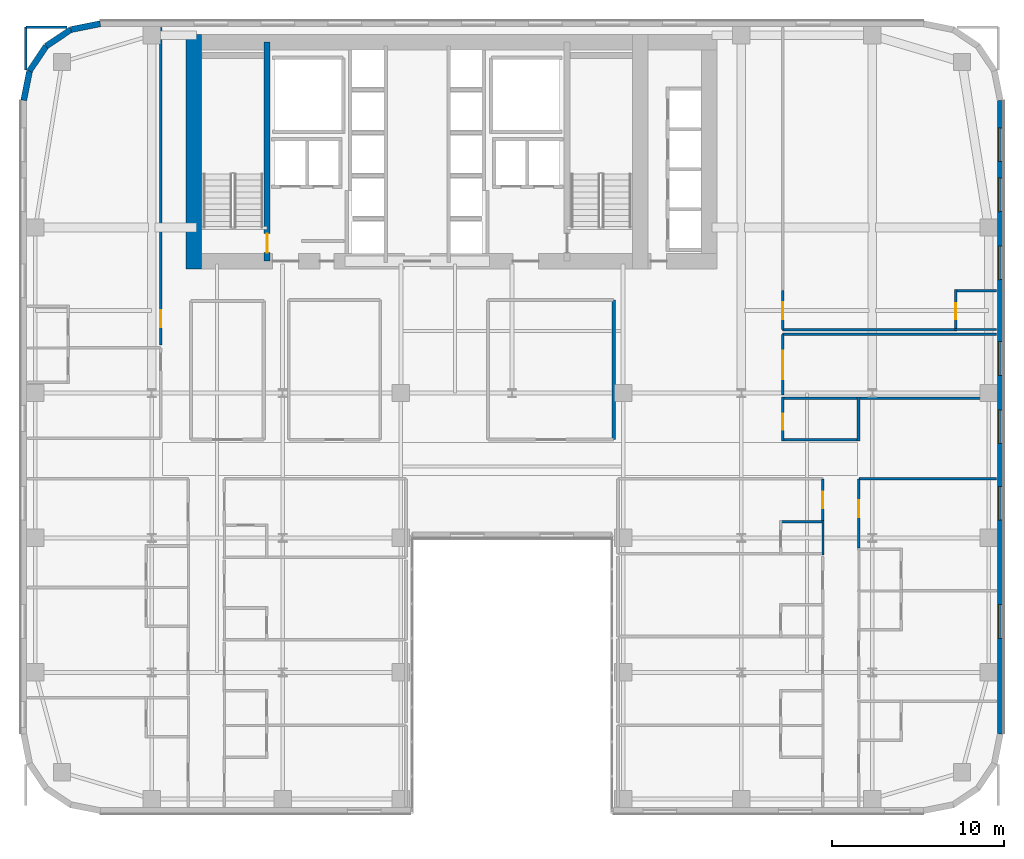
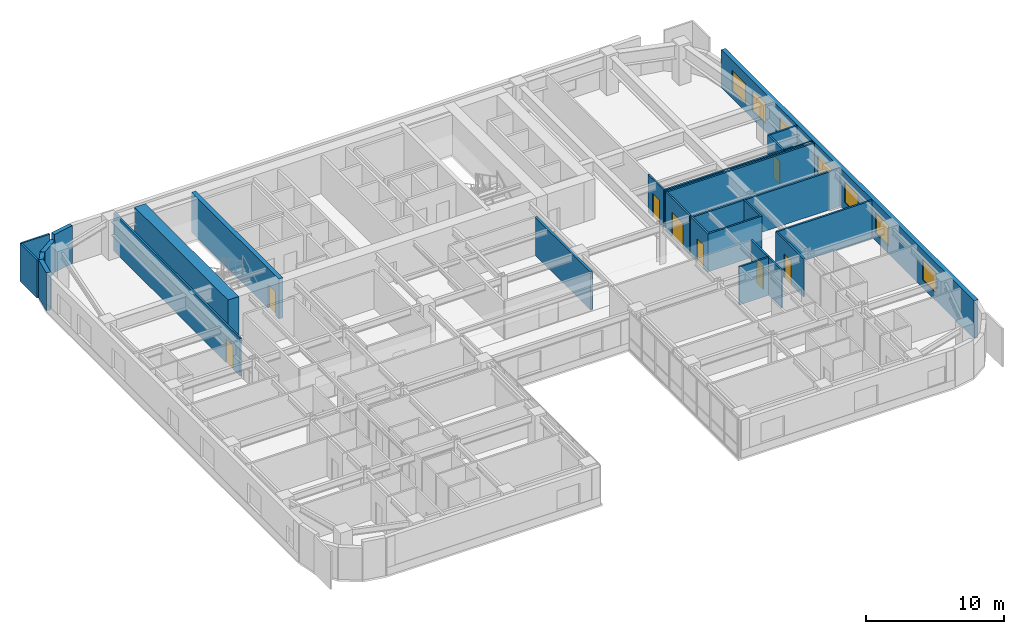
# One storey, part 17 of 25: 27 walls, 8 doors, 7 windows, 15 openings.
"""IFC4 building model written with IfcOpenShell, lengths in metres."""

from ifc_helpers import new_model, si_unit, direction, frame, frame_2d, origin, place, context, subcontext, project, spatial, rectangle, extrude, source, transform, mapped, material, layer, layer_set, type_object, type_shapes, element, fill, save


model = new_model("IFC4")

# Units and contexts
model_context = context("Model", 3, precision=1e-05, world=origin(), true_north=direction((0.0, 1.0)))
body_context = subcontext(model_context, "Body", "Model", "MODEL_VIEW")
ifc_project = project(units=[si_unit("LENGTHUNIT", "METRE"), si_unit("AREAUNIT", "SQUARE_METRE"), si_unit("VOLUMEUNIT", "CUBIC_METRE"), si_unit("PLANEANGLEUNIT", "RADIAN"), si_unit("MASSUNIT", "GRAM", prefix="KILO")], contexts=[model_context])

# Site, building, storey
site_placement = place(None, origin())
site = spatial("IfcSite", under=ifc_project, at=site_placement, CompositionType="ELEMENT")
building_placement = place(site_placement, origin())
building = spatial("IfcBuilding", under=site, at=building_placement, Name="Tolvann Quenvar Hotel", CompositionType="ELEMENT")
storey_placement = place(building_placement, frame((0.0, 0.0, 46.199951171875)))
storey = spatial("IfcBuildingStorey", under=building, at=storey_placement, Name="L10", CompositionType="ELEMENT", Elevation=46.199951171875)

# Wall
ifc_material_1 = material(Name="Concrete S80 (80 MPa)", Category="concrete")
ifc_layer_1 = layer(ifc_material_1, 0.89990234375)
ifc_layer_set_1 = layer_set([ifc_layer_1], Name="Concrete S80 (80 MPa)")
wall_type_1 = type_object("IfcWallType", Name="WALL_CORE_900", PredefinedType="SHEAR", material=ifc_layer_set_1)
wall_1_placement = place(storey_placement, frame((10.050048828125, 31.60009765625, 0.0), z_axis=(0.0, 0.0, 1.0), x_axis=(0.0, 1.0, 0.0)))
element("IfcWall", 1, at=wall_1_placement, inside=storey, type_object=wall_type_1, Name="Rear Core W Shear Wall (L10)", PredefinedType="SHEAR", context=body_context, shape_type="SweptSolid", body=[
    extrude(rectangle(XDim=13.599853515625, YDim=0.89990234375, at=frame_2d((6.7998046875, 0.0))), origin(), (0.0, 0.0, 1.0), 3.550048828125),
])

# Wall, opening, door
ifc_material_2 = material(Name="Concrete S65 (65 MPa)", Category="concrete")
ifc_layer_2 = layer(ifc_material_2, 0.35009765625)
ifc_layer_set_2 = layer_set([ifc_layer_2], Name="Concrete S65 (65 MPa)")
wall_type_2 = type_object("IfcWallType", Name="WALL_CORE_INT_350", PredefinedType="SHEAR", material=ifc_layer_set_2)
wall_2_placement = place(storey_placement, frame((14.300048828125, 32.050048828125, 0.0), z_axis=(0.0, 0.0, 1.0), x_axis=(0.0, 1.0, 0.0)))
wall_2 = element("IfcWall", 2, at=wall_2_placement, inside=storey, type_object=wall_type_2, Name="Core Internal Web Shear Wall WEB-W (L10)", PredefinedType="SHEAR", context=body_context, shape_type="SweptSolid", body=[
    extrude(rectangle(XDim=12.699951171875, YDim=0.35009765625, at=frame_2d((6.35009765625, 0.0))), origin(), (0.0, 0.0, 1.0), 3.550048828125),
])
opening_1_placement = place(wall_2_placement, frame((0.5, 0.0, 0.0)))
opening_1 = element("IfcOpeningElement", 3, at=opening_1_placement, cuts=wall_2, Name="Opening FD-120", PredefinedType="OPENING", context=body_context, shape_type="SweptSolid", body=[
    extrude(rectangle(XDim=1.10009765625, YDim=2.1201171875, at=frame_2d((0.550048828125, 1.06005859375))), frame((0.0, 0.18505859375, 0.0), z_axis=(0.0, -1.0, 0.0), x_axis=(1.0, 0.0, 0.0)), (0.0, 0.0, 1.0), 0.3701171875),
])
ifc_material_3 = material(Name="Pressed galvanised steel fire-rated door set", Category="steel")
door_type_1 = type_object("IfcDoorType", Name="DOOR_FIRE_STAIR_1100", OperationType="NOTDEFINED", PredefinedType="DOOR", material=ifc_material_3)
shared_shape_1 = source(origin(), body_context, "Body", "SweptSolid", [
    extrude(rectangle(XDim=1.10009765625, YDim=2.1201171875, at=frame_2d((0.550048828125, 1.06005859375))), frame((0.0, 0.02490234375, 0.0), z_axis=(0.0, -1.0, 0.0), x_axis=(1.0, 0.0, 0.0)), (0.0, 0.0, 1.0), 0.050048828125),
])
type_shapes(door_type_1, [shared_shape_1])
door_1_placement = place(opening_1_placement, origin())
door_1 = element("IfcDoor", 4, at=door_1_placement, inside=storey, type_object=door_type_1, Name="Exit Stair ST-C1 Fire Door (L10)", OperationType="SINGLE_SWING_RIGHT", OverallHeight=2.1201171875, OverallWidth=1.10009765625, PredefinedType="DOOR", context=body_context, shape_type="MappedRepresentation", body=[
    mapped(shared_shape_1, transform((0.0, 0.0, 0.0), x_axis=(1.0, 0.0, 0.0), y_axis=(0.0, 1.0, 0.0), z_axis=(0.0, 0.0, 1.0), scale=1.0)),
])
fill(opening_1, door_1)

# Wall, openings, windows
ifc_material_4 = material(Name="Kiln-fired red and buff architectural clay brickwork and terracotta masonry", Category="masonry")
ifc_layer_3 = layer(ifc_material_4, 0.35009765625)
ifc_layer_set_3 = layer_set([ifc_layer_3], Name="Kiln-fired red and buff architectural clay brickwork and terracotta masonry")
wall_type_3 = type_object("IfcWallType", Name="WALL_EXT_BRICK_350", PredefinedType="SOLIDWALL", material=ifc_layer_set_3)
wall_3_placement = place(storey_placement, frame((56.824951171875, 4.6171875, 0.0), z_axis=(0.0, 0.0, 1.0), x_axis=(0.0, 1.0, 0.0)))
wall_3 = element("IfcWall", 5, at=wall_3_placement, inside=storey, type_object=wall_type_3, Name="Exterior Chicago Brick Wall L10-E13", PredefinedType="SOLIDWALL", context=body_context, shape_type="SweptSolid", body=[
    extrude(rectangle(XDim=36.765625, YDim=0.35009765625, at=frame_2d((18.3828125, 0.0))), origin(), (0.0, 0.0, 1.0), 3.3701171875),
])
opening_2_placement = place(wall_3_placement, frame((5.552978515625, 0.0, 0.679931640625)))
opening_2 = element("IfcOpeningElement", 6, at=opening_2_placement, cuts=wall_3, Name="Opening W-10", PredefinedType="OPENING", context=body_context, shape_type="SweptSolid", body=[
    extrude(rectangle(XDim=1.949951171875, YDim=1.820068359375, at=frame_2d((0.97509765625, 0.91015625))), frame((0.0, 0.18505859375, 0.0), z_axis=(0.0, -1.0, 0.0), x_axis=(1.0, 0.0, 0.0)), (0.0, 0.0, 1.0), 0.3701171875),
])
opening_3_placement = place(wall_3_placement, frame((12.406005859375, 0.0, 0.679931640625)))
opening_3 = element("IfcOpeningElement", 7, at=opening_3_placement, cuts=wall_3, Name="Opening W-10", PredefinedType="OPENING", context=body_context, shape_type="SweptSolid", body=[
    extrude(rectangle(XDim=1.949951171875, YDim=1.820068359375, at=frame_2d((0.97509765625, 0.91015625))), frame((0.0, 0.18505859375, 0.0), z_axis=(0.0, -1.0, 0.0), x_axis=(1.0, 0.0, 0.0)), (0.0, 0.0, 1.0), 0.3701171875),
])
opening_4_placement = place(wall_3_placement, frame((16.85791015625, 0.0, 0.679931640625)))
opening_4 = element("IfcOpeningElement", 8, at=opening_4_placement, cuts=wall_3, Name="Opening W-10", PredefinedType="OPENING", context=body_context, shape_type="SweptSolid", body=[
    extrude(rectangle(XDim=1.949951171875, YDim=1.820068359375, at=frame_2d((0.97509765625, 0.91015625))), frame((0.0, 0.18505859375, 0.0), z_axis=(0.0, -1.0, 0.0), x_axis=(1.0, 0.0, 0.0)), (0.0, 0.0, 1.0), 0.3701171875),
])
opening_5_placement = place(wall_3_placement, frame((20.81005859375, 0.0, 0.679931640625)))
opening_5 = element("IfcOpeningElement", 9, at=opening_5_placement, cuts=wall_3, Name="Opening W-10", PredefinedType="OPENING", context=body_context, shape_type="SweptSolid", body=[
    extrude(rectangle(XDim=1.949951171875, YDim=1.820068359375, at=frame_2d((0.97509765625, 0.91015625))), frame((0.0, 0.18505859375, 0.0), z_axis=(0.0, -1.0, 0.0), x_axis=(1.0, 0.0, 0.0)), (0.0, 0.0, 1.0), 0.3701171875),
])
opening_6_placement = place(wall_3_placement, frame((26.361083984375, 0.0, 0.679931640625)))
opening_6 = element("IfcOpeningElement", 10, at=opening_6_placement, cuts=wall_3, Name="Opening W-10", PredefinedType="OPENING", context=body_context, shape_type="SweptSolid", body=[
    extrude(rectangle(XDim=1.949951171875, YDim=1.820068359375, at=frame_2d((0.97509765625, 0.91015625))), frame((0.0, 0.18505859375, 0.0), z_axis=(0.0, -1.0, 0.0), x_axis=(1.0, 0.0, 0.0)), (0.0, 0.0, 1.0), 0.3701171875),
])
opening_7_placement = place(wall_3_placement, frame((30.31298828125, 0.0, 0.679931640625)))
opening_7 = element("IfcOpeningElement", 11, at=opening_7_placement, cuts=wall_3, Name="Opening W-10", PredefinedType="OPENING", context=body_context, shape_type="SweptSolid", body=[
    extrude(rectangle(XDim=1.949951171875, YDim=1.820068359375, at=frame_2d((0.97509765625, 0.91015625))), frame((0.0, 0.18505859375, 0.0), z_axis=(0.0, -1.0, 0.0), x_axis=(1.0, 0.0, 0.0)), (0.0, 0.0, 1.0), 0.3701171875),
])
opening_8_placement = place(wall_3_placement, frame((33.215087890625, 0.0, 0.679931640625)))
opening_8 = element("IfcOpeningElement", 12, at=opening_8_placement, cuts=wall_3, Name="Opening W-10", PredefinedType="OPENING", context=body_context, shape_type="SweptSolid", body=[
    extrude(rectangle(XDim=1.949951171875, YDim=1.820068359375, at=frame_2d((0.97509765625, 0.91015625))), frame((0.0, 0.18505859375, 0.0), z_axis=(0.0, -1.0, 0.0), x_axis=(1.0, 0.0, 0.0)), (0.0, 0.0, 1.0), 0.3701171875),
])
ifc_material_5 = material(Name="Thermally broken bronze-anodised aluminium frame with double low-E glazing", Category="aluminium")
window_type = type_object("IfcWindowType", Name="WIN_CLB_1950x1850", PartitioningType="DOUBLE_PANEL_VERTICAL", PredefinedType="WINDOW", material=ifc_material_5)
shared_shape_2 = source(origin(), body_context, "Body", "SweptSolid", [
    extrude(rectangle(XDim=1.949951171875, YDim=1.820068359375, at=frame_2d((0.97509765625, 0.91015625))), frame((0.0, 0.090087890625, 0.0), z_axis=(0.0, -1.0, 0.0), x_axis=(1.0, 0.0, 0.0)), (0.0, 0.0, 1.0), 0.06005859375),
])
type_shapes(window_type, [shared_shape_2])
window_1_placement = place(opening_2_placement, origin())
window_1 = element("IfcWindow", 13, at=window_1_placement, inside=storey, type_object=window_type, Name="Chicago Window W-10 (EW-L10-E13-W01)", OverallHeight=1.820068359375, OverallWidth=1.949951171875, PartitioningType="DOUBLE_PANEL_VERTICAL", PredefinedType="WINDOW", context=body_context, shape_type="MappedRepresentation", body=[
    mapped(shared_shape_2, transform((0.0, 0.0, 0.0), x_axis=(1.0, 0.0, 0.0), y_axis=(0.0, 1.0, 0.0), z_axis=(0.0, 0.0, 1.0), scale=1.0)),
])
fill(opening_2, window_1)
window_2_placement = place(opening_3_placement, origin())
window_2 = element("IfcWindow", 14, at=window_2_placement, inside=storey, type_object=window_type, Name="Chicago Window W-10 (EW-L10-E13-W02)", OverallHeight=1.820068359375, OverallWidth=1.949951171875, PartitioningType="DOUBLE_PANEL_VERTICAL", PredefinedType="WINDOW", context=body_context, shape_type="MappedRepresentation", body=[
    mapped(shared_shape_2, transform((0.0, 0.0, 0.0), x_axis=(1.0, 0.0, 0.0), y_axis=(0.0, 1.0, 0.0), z_axis=(0.0, 0.0, 1.0), scale=1.0)),
])
fill(opening_3, window_2)
window_3_placement = place(opening_4_placement, origin())
window_3 = element("IfcWindow", 15, at=window_3_placement, inside=storey, type_object=window_type, Name="Chicago Window W-10 (EW-L10-E13-W03)", OverallHeight=1.820068359375, OverallWidth=1.949951171875, PartitioningType="DOUBLE_PANEL_VERTICAL", PredefinedType="WINDOW", context=body_context, shape_type="MappedRepresentation", body=[
    mapped(shared_shape_2, transform((0.0, 0.0, 0.0), x_axis=(1.0, 0.0, 0.0), y_axis=(0.0, 1.0, 0.0), z_axis=(0.0, 0.0, 1.0), scale=1.0)),
])
fill(opening_4, window_3)
window_4_placement = place(opening_5_placement, origin())
window_4 = element("IfcWindow", 16, at=window_4_placement, inside=storey, type_object=window_type, Name="Chicago Window W-10 (EW-L10-E13-W04)", OverallHeight=1.820068359375, OverallWidth=1.949951171875, PartitioningType="DOUBLE_PANEL_VERTICAL", PredefinedType="WINDOW", context=body_context, shape_type="MappedRepresentation", body=[
    mapped(shared_shape_2, transform((0.0, 0.0, 0.0), x_axis=(1.0, 0.0, 0.0), y_axis=(0.0, 1.0, 0.0), z_axis=(0.0, 0.0, 1.0), scale=1.0)),
])
fill(opening_5, window_4)
window_5_placement = place(opening_6_placement, origin())
window_5 = element("IfcWindow", 17, at=window_5_placement, inside=storey, type_object=window_type, Name="Chicago Window W-10 (EW-L10-E13-W05)", OverallHeight=1.820068359375, OverallWidth=1.949951171875, PartitioningType="DOUBLE_PANEL_VERTICAL", PredefinedType="WINDOW", context=body_context, shape_type="MappedRepresentation", body=[
    mapped(shared_shape_2, transform((0.0, 0.0, 0.0), x_axis=(1.0, 0.0, 0.0), y_axis=(0.0, 1.0, 0.0), z_axis=(0.0, 0.0, 1.0), scale=1.0)),
])
fill(opening_6, window_5)
window_6_placement = place(opening_7_placement, origin())
window_6 = element("IfcWindow", 18, at=window_6_placement, inside=storey, type_object=window_type, Name="Chicago Window W-10 (EW-L10-E13-W06)", OverallHeight=1.820068359375, OverallWidth=1.949951171875, PartitioningType="DOUBLE_PANEL_VERTICAL", PredefinedType="WINDOW", context=body_context, shape_type="MappedRepresentation", body=[
    mapped(shared_shape_2, transform((0.0, 0.0, 0.0), x_axis=(1.0, 0.0, 0.0), y_axis=(0.0, 1.0, 0.0), z_axis=(0.0, 0.0, 1.0), scale=1.0)),
])
fill(opening_7, window_6)
window_7_placement = place(opening_8_placement, origin())
window_7 = element("IfcWindow", 19, at=window_7_placement, inside=storey, type_object=window_type, Name="Chicago Window W-10 (EW-L10-E13-W07)", OverallHeight=1.820068359375, OverallWidth=1.949951171875, PartitioningType="DOUBLE_PANEL_VERTICAL", PredefinedType="WINDOW", context=body_context, shape_type="MappedRepresentation", body=[
    mapped(shared_shape_2, transform((0.0, 0.0, 0.0), x_axis=(1.0, 0.0, 0.0), y_axis=(0.0, 1.0, 0.0), z_axis=(0.0, 0.0, 1.0), scale=1.0)),
])
fill(opening_8, window_7)

# Walls
wall_4_placement = place(storey_placement, frame((4.6171875, 45.824951171875, 0.0), z_axis=(0.0, 0.0, 1.0), x_axis=(-0.980800971659, -0.195011420161, 0.0)))
element("IfcWall", 20, at=wall_4_placement, inside=storey, type_object=wall_type_3, Name="Exterior Chicago Brick Wall L10-E19", PredefinedType="SOLIDWALL", context=body_context, shape_type="SweptSolid", body=[
    extrude(rectangle(XDim=1.74267578125, YDim=0.35009765625, at=frame_2d((0.871337890625, 0.0))), origin(), (0.0, 0.0, 1.0), 3.3701171875),
])
for number, where, z_axis, x_axis, name in (
    (21, (2.907958984375, 45.485107421875, 0.0), (0.0, 0.0, 1.0), (-0.831483840845, -0.55554893791, 0.0), "Exterior Chicago Brick Wall L10-E20"),
    (22, (1.473388671875, 44.526611328125, 0.0), (0.0, 0.0, 1.0), (-0.55554893791, -0.831483840845, 0.0), "Exterior Chicago Brick Wall L10-E21"),
):
    element("IfcWall", number, at=place(storey_placement, frame(where, z_axis=z_axis, x_axis=x_axis)), inside=storey, type_object=wall_type_3, Name=name, PredefinedType="SOLIDWALL", context=body_context, shape_type="SweptSolid", body=[
        extrude(rectangle(XDim=1.725341796875, YDim=0.35009765625, at=frame_2d((0.86279296875, 0.0))), origin(), (0.0, 0.0, 1.0), 2.83203125),
    ])
wall_5_placement = place(storey_placement, frame((0.514892578125, 43.092041015625, 0.0), z_axis=(0.0, 0.0, 1.0), x_axis=(-0.195011420161, -0.980800971659, 0.0)))
element("IfcWall", 23, at=wall_5_placement, inside=storey, type_object=wall_type_3, Name="Exterior Chicago Brick Wall L10-E22", PredefinedType="SOLIDWALL", context=body_context, shape_type="SweptSolid", body=[
    extrude(rectangle(XDim=1.74267578125, YDim=0.35009765625, at=frame_2d((0.871337890625, 0.0))), origin(), (0.0, 0.0, 1.0), 3.3701171875),
])
ifc_material_6 = material(Name="Acoustic twin-stud fire-rated gypsum plasterboard partition")
ifc_layer_4 = layer(ifc_material_6, 0.179931640625)
ifc_layer_set_4 = layer_set([ifc_layer_4], Name="Acoustic twin-stud fire-rated gypsum plasterboard partition")
wall_type_4 = type_object("IfcWallType", Name="WALL_PART_ACOUSTIC_180", PredefinedType="PARTITIONING", material=ifc_layer_set_4)
wall_6_placement = place(storey_placement, frame((34.39990234375, 21.699951171875, 0.0), z_axis=(0.0, 0.0, 1.0), x_axis=(0.0, 1.0, 0.0)))
element("IfcWall", 24, at=wall_6_placement, inside=storey, type_object=wall_type_4, Name="Interior Partition PT-SPC-L10-MSP-C-E", PredefinedType="PARTITIONING", context=body_context, shape_type="SweptSolid", body=[
    extrude(rectangle(XDim=8.10009765625, YDim=0.179931640625, at=frame_2d((4.050048828125, 0.0))), origin(), (0.0, 0.0, 1.0), 3.3701171875),
])
ifc_material_7 = material(Name="Moisture-resistant acoustic plumbing wall assembly")
ifc_layer_5 = layer(ifc_material_7, 0.1201171875)
ifc_layer_set_5 = layer_set([ifc_layer_5], Name="Moisture-resistant acoustic plumbing wall assembly")
wall_type_5 = type_object("IfcWallType", Name="WALL_PART_BATH_120", PredefinedType="PLUMBINGWALL", material=ifc_layer_set_5)
wall_7_placement = place(storey_placement, frame((46.530029296875, 15.010009765625, 0.0), z_axis=(0.0, 0.0, 1.0), x_axis=(0.0, 1.0, 0.0)))
element("IfcWall", 25, at=wall_7_placement, inside=storey, type_object=wall_type_5, Name="Non-Rated Plumbing Partition PT-SPC-L10-ENS-EI04-E", PredefinedType="PLUMBINGWALL", context=body_context, shape_type="SweptSolid", body=[
    extrude(rectangle(XDim=1.989990234375, YDim=0.1201171875, at=frame_2d((0.9951171875, 0.0))), origin(), (0.0, 0.0, 1.0), 3.3701171875),
])
wall_8_placement = place(storey_placement, frame((54.179931640625, 28.080078125, 0.0), z_axis=(0.0, 0.0, 1.0), x_axis=(1.0, 0.0, 0.0)))
element("IfcWall", 26, at=wall_8_placement, inside=storey, type_object=wall_type_5, Name="Non-Rated Plumbing Partition PT-SPC-L10-ENS-NE01-S", PredefinedType="PLUMBINGWALL", context=body_context, shape_type="SweptSolid", body=[
    extrude(rectangle(XDim=2.4150390625, YDim=0.1201171875, at=frame_2d((1.20751953125, 0.0))), origin(), (0.0, 0.0, 1.0), 3.3701171875),
])
ifc_layer_6 = layer(ifc_material_6, 0.14990234375)
ifc_layer_set_6 = layer_set([ifc_layer_6], Name="Acoustic twin-stud fire-rated gypsum plasterboard partition")
wall_type_6 = type_object("IfcWallType", Name="WALL_PART_SUITE_150", PredefinedType="PARTITIONING", material=ifc_layer_set_6)
wall_9_placement = place(storey_placement, frame((44.010009765625, 16.929931640625, 0.0), z_axis=(0.0, 0.0, 1.0), x_axis=(1.0, 0.0, 0.0)))
element("IfcWall", 27, at=wall_9_placement, inside=storey, type_object=wall_type_6, Name="Interior Partition PT-SPC-L10-ENS-EI04-N", PredefinedType="PARTITIONING", context=body_context, shape_type="SweptSolid", body=[
    extrude(rectangle(XDim=2.590087890625, YDim=0.14990234375, at=frame_2d((1.294921875, 0.0))), origin(), (0.0, 0.0, 1.0), 3.3701171875),
])

# Wall, opening, door
wall_10_placement = place(storey_placement, frame((54.25, 28.010009765625, 0.0), z_axis=(0.0, 0.0, 1.0), x_axis=(0.0, 1.0, 0.0)))
wall_10 = element("IfcWall", 28, at=wall_10_placement, inside=storey, type_object=wall_type_6, Name="Interior Partition PT-SPC-L10-ENS-NE01-ENT", PredefinedType="PARTITIONING", context=body_context, shape_type="SweptSolid", body=[
    extrude(rectangle(XDim=2.389892578125, YDim=0.14990234375, at=frame_2d((1.19482421875, 0.0))), origin(), (0.0, 0.0, 1.0), 3.3701171875),
])
opening_9_placement = place(wall_10_placement, frame((0.6650390625, 0.0, 0.0)))
opening_9 = element("IfcOpeningElement", 29, at=opening_9_placement, cuts=wall_10, Name="Opening WD-01", PredefinedType="OPENING", context=body_context, shape_type="SweptSolid", body=[
    extrude(rectangle(XDim=0.919921875, YDim=2.010009765625, at=frame_2d((0.4599609375, 1.0048828125))), frame((0.0, 0.0849609375, 0.0), z_axis=(0.0, -1.0, 0.0), x_axis=(1.0, 0.0, 0.0)), (0.0, 0.0, 1.0), 0.169921875),
])
ifc_material_8 = material(Name="Solid-core American oak acoustic fire door leaf in steel frame", Category="steel")
door_type_2 = type_object("IfcDoorType", Name="DOOR_WC_920", OperationType="NOTDEFINED", PredefinedType="DOOR", material=ifc_material_8)
shared_shape_3 = source(origin(), body_context, "Body", "SweptSolid", [
    extrude(rectangle(XDim=0.919921875, YDim=2.010009765625, at=frame_2d((0.4599609375, 1.0048828125))), frame((0.0, 0.02490234375, 0.0), z_axis=(0.0, -1.0, 0.0), x_axis=(1.0, 0.0, 0.0)), (0.0, 0.0, 1.0), 0.050048828125),
])
type_shapes(door_type_2, [shared_shape_3])
door_2_placement = place(opening_9_placement, origin())
door_2 = element("IfcDoor", 30, at=door_2_placement, inside=storey, type_object=door_type_2, Name="Interior Door DOOR-SPC-L10-ENS-NE01", OperationType="SINGLE_SWING_RIGHT", OverallHeight=2.010009765625, OverallWidth=0.919921875, PredefinedType="DOOR", context=body_context, shape_type="MappedRepresentation", body=[
    mapped(shared_shape_3, transform((0.0, 0.0, 0.0), x_axis=(1.0, 0.0, 0.0), y_axis=(0.0, 1.0, 0.0), z_axis=(0.0, 0.0, 1.0), scale=1.0)),
])
fill(opening_9, door_2)

# Wall
wall_11_placement = place(storey_placement, frame((54.179931640625, 30.330078125, 0.0), z_axis=(0.0, 0.0, 1.0), x_axis=(1.0, 0.0, 0.0)))
element("IfcWall", 31, at=wall_11_placement, inside=storey, type_object=wall_type_6, Name="Interior Partition PT-SPC-L10-ENS-NE01-N", PredefinedType="PARTITIONING", context=body_context, shape_type="SweptSolid", body=[
    extrude(rectangle(XDim=2.4150390625, YDim=0.14990234375, at=frame_2d((1.20751953125, 0.0))), origin(), (0.0, 0.0, 1.0), 3.3701171875),
])

# Wall, opening, door
wall_12_placement = place(storey_placement, frame((46.530029296875, 17.010009765625, 0.0), z_axis=(0.0, 0.0, 1.0), x_axis=(0.0, 1.0, 0.0)))
wall_12 = element("IfcWall", 32, at=wall_12_placement, inside=storey, type_object=wall_type_6, Name="Interior Partition PT-SPC-L10-RM-EI04-ENT", PredefinedType="PARTITIONING", context=body_context, shape_type="SweptSolid", body=[
    extrude(rectangle(XDim=2.409912109375, YDim=0.14990234375, at=frame_2d((1.205078125, 0.0))), origin(), (0.0, 0.0, 1.0), 3.3701171875),
])
opening_10_placement = place(wall_12_placement, frame((0.695068359375, 0.0, 0.0)))
opening_10 = element("IfcOpeningElement", 33, at=opening_10_placement, cuts=wall_12, Name="Opening SD-01", PredefinedType="OPENING", context=body_context, shape_type="SweptSolid", body=[
    extrude(rectangle(XDim=0.97998046875, YDim=2.1201171875, at=frame_2d((0.489990234375, 1.06005859375))), frame((0.0, 0.0849609375, 0.0), z_axis=(0.0, -1.0, 0.0), x_axis=(1.0, 0.0, 0.0)), (0.0, 0.0, 1.0), 0.169921875),
])
door_type_3 = type_object("IfcDoorType", Name="DOOR_SUITE_980", OperationType="NOTDEFINED", PredefinedType="DOOR", material=ifc_material_8)
shared_shape_4 = source(origin(), body_context, "Body", "SweptSolid", [
    extrude(rectangle(XDim=0.97998046875, YDim=2.1201171875, at=frame_2d((0.489990234375, 1.06005859375))), frame((0.0, 0.02490234375, 0.0), z_axis=(0.0, -1.0, 0.0), x_axis=(1.0, 0.0, 0.0)), (0.0, 0.0, 1.0), 0.050048828125),
])
type_shapes(door_type_3, [shared_shape_4])
door_3_placement = place(opening_10_placement, origin())
door_3 = element("IfcDoor", 34, at=door_3_placement, inside=storey, type_object=door_type_3, Name="Interior Door DOOR-SPC-L10-RM-EI04", OperationType="SINGLE_SWING_LEFT", OverallHeight=2.1201171875, OverallWidth=0.97998046875, PredefinedType="DOOR", context=body_context, shape_type="MappedRepresentation", body=[
    mapped(shared_shape_4, transform((0.0, 0.0, 0.0), x_axis=(1.0, 0.0, 0.0), y_axis=(0.0, 1.0, 0.0), z_axis=(0.0, 0.0, 1.0), scale=1.0)),
])
fill(opening_10, door_3)

wall_13_placement = place(storey_placement, frame((48.6201171875, 15.409912109375, 0.0), z_axis=(0.0, 0.0, 1.0), x_axis=(0.0, 1.0, 0.0)))
wall_13 = element("IfcWall", 35, at=wall_13_placement, inside=storey, type_object=wall_type_6, Name="Interior Partition PT-SPC-L10-RM-EO03-ENT", PredefinedType="PARTITIONING", context=body_context, shape_type="SweptSolid", body=[
    extrude(rectangle(XDim=4.010009765625, YDim=0.14990234375, at=frame_2d((2.0048828125, 0.0))), origin(), (0.0, 0.0, 1.0), 3.3701171875),
])
opening_11_placement = place(wall_13_placement, frame((1.794921875, 0.0, 0.0)))
opening_11 = element("IfcOpeningElement", 36, at=opening_11_placement, cuts=wall_13, Name="Opening SD-01", PredefinedType="OPENING", context=body_context, shape_type="SweptSolid", body=[
    extrude(rectangle(XDim=0.97998046875, YDim=2.1201171875, at=frame_2d((0.489990234375, 1.06005859375))), frame((0.0, 0.0849609375, 0.0), z_axis=(0.0, -1.0, 0.0), x_axis=(1.0, 0.0, 0.0)), (0.0, 0.0, 1.0), 0.169921875),
])
door_4_placement = place(opening_11_placement, origin())
door_4 = element("IfcDoor", 37, at=door_4_placement, inside=storey, type_object=door_type_3, Name="Interior Door DOOR-SPC-L10-RM-EO03", OperationType="SINGLE_SWING_RIGHT", OverallHeight=2.1201171875, OverallWidth=0.97998046875, PredefinedType="DOOR", context=body_context, shape_type="MappedRepresentation", body=[
    mapped(shared_shape_4, transform((0.0, 0.0, 0.0), x_axis=(1.0, 0.0, 0.0), y_axis=(0.0, 1.0, 0.0), z_axis=(0.0, 0.0, 1.0), scale=1.0)),
])
fill(opening_11, door_4)

# Wall
wall_14_placement = place(storey_placement, frame((48.6201171875, 19.419921875, 0.0), z_axis=(0.0, 0.0, 1.0), x_axis=(1.0, 0.0, 0.0)))
element("IfcWall", 38, at=wall_14_placement, inside=storey, type_object=wall_type_6, Name="Interior Partition PT-SPC-L10-RM-EO03-E5", PredefinedType="PARTITIONING", context=body_context, shape_type="SweptSolid", body=[
    extrude(rectangle(XDim=7.974853515625, YDim=0.14990234375, at=frame_2d((3.9873046875, 0.0))), origin(), (0.0, 0.0, 1.0), 3.3701171875),
])

# Wall, opening, door
wall_15_placement = place(storey_placement, frame((8.1201171875, 27.179931640625, 0.0), z_axis=(0.0, 0.0, 1.0), x_axis=(0.0, 1.0, 0.0)))
wall_15 = element("IfcWall", 39, at=wall_15_placement, inside=storey, type_object=wall_type_6, Name="Interior Partition PT-SPC-L10-RM-NW02-ENT", PredefinedType="PARTITIONING", context=body_context, shape_type="SweptSolid", body=[
    extrude(rectangle(XDim=18.4150390625, YDim=0.14990234375, at=frame_2d((9.20751953125, 0.0))), origin(), (0.0, 0.0, 1.0), 3.3701171875),
])
opening_12_placement = place(wall_15_placement, frame((1.044921875, 0.0, 0.0)))
opening_12 = element("IfcOpeningElement", 40, at=opening_12_placement, cuts=wall_15, Name="Opening SD-01", PredefinedType="OPENING", context=body_context, shape_type="SweptSolid", body=[
    extrude(rectangle(XDim=0.97998046875, YDim=2.1201171875, at=frame_2d((0.489990234375, 1.06005859375))), frame((0.0, 0.0849609375, 0.0), z_axis=(0.0, -1.0, 0.0), x_axis=(1.0, 0.0, 0.0)), (0.0, 0.0, 1.0), 0.169921875),
])
door_5_placement = place(opening_12_placement, origin())
door_5 = element("IfcDoor", 41, at=door_5_placement, inside=storey, type_object=door_type_3, Name="Interior Door DOOR-SPC-L10-RM-NW02", OperationType="SINGLE_SWING_RIGHT", OverallHeight=2.1201171875, OverallWidth=0.97998046875, PredefinedType="DOOR", context=body_context, shape_type="MappedRepresentation", body=[
    mapped(shared_shape_4, transform((0.0, 0.0, 0.0), x_axis=(1.0, 0.0, 0.0), y_axis=(0.0, 1.0, 0.0), z_axis=(0.0, 0.0, 1.0), scale=1.0)),
])
fill(opening_12, door_5)

# Walls
wall_16_placement = place(storey_placement, frame((0.300048828125, 45.6201171875, 0.0), z_axis=(0.0, 0.0, 1.0), x_axis=(1.0, 0.0, 0.0)))
element("IfcWall", 42, at=wall_16_placement, inside=storey, type_object=wall_type_6, Name="Interior Partition PT-SPC-L10-RM-NW02-E5", PredefinedType="PARTITIONING", context=body_context, shape_type="SweptSolid", body=[
    extrude(rectangle(XDim=2.39599609375, YDim=0.14990234375, at=frame_2d((1.197998046875, 0.0))), origin(), (0.0, 0.0, 1.0), 3.3701171875),
])
wall_17_placement = place(storey_placement, frame((0.300048828125, 43.135009765625, 0.0), z_axis=(0.0, 0.0, 1.0), x_axis=(0.0, 1.0, 0.0)))
element("IfcWall", 43, at=wall_17_placement, inside=storey, type_object=wall_type_6, Name="Interior Partition PT-SPC-L10-RM-NW02-E6", PredefinedType="PARTITIONING", context=body_context, shape_type="SweptSolid", body=[
    extrude(rectangle(XDim=2.485107421875, YDim=0.14990234375, at=frame_2d((1.24267578125, 0.0))), origin(), (0.0, 0.0, 1.0), 3.3701171875),
])

# Wall, opening, door
wall_18_placement = place(storey_placement, frame((44.199951171875, 21.6298828125, 0.0), z_axis=(0.0, 0.0, 1.0), x_axis=(0.0, 1.0, 0.0)))
wall_18 = element("IfcWall", 44, at=wall_18_placement, inside=storey, type_object=wall_type_6, Name="Interior Partition PT-SPC-L10-WCA-ENT", PredefinedType="PARTITIONING", context=body_context, shape_type="SweptSolid", body=[
    extrude(rectangle(XDim=2.5400390625, YDim=0.14990234375, at=frame_2d((1.27001953125, 0.0))), origin(), (0.0, 0.0, 1.0), 3.3701171875),
])
opening_13_placement = place(wall_18_placement, frame((0.639892578125, 0.0, 0.0)))
opening_13 = element("IfcOpeningElement", 45, at=opening_13_placement, cuts=wall_18, Name="Opening WD-01", PredefinedType="OPENING", context=body_context, shape_type="SweptSolid", body=[
    extrude(rectangle(XDim=0.919921875, YDim=2.010009765625, at=frame_2d((0.4599609375, 1.0048828125))), frame((0.0, 0.0849609375, 0.0), z_axis=(0.0, -1.0, 0.0), x_axis=(1.0, 0.0, 0.0)), (0.0, 0.0, 1.0), 0.169921875),
])
door_6_placement = place(opening_13_placement, origin())
door_6 = element("IfcDoor", 46, at=door_6_placement, inside=storey, type_object=door_type_2, Name="Interior Door DOOR-SPC-L10-WCA", OperationType="SINGLE_SWING_LEFT", OverallHeight=2.010009765625, OverallWidth=0.919921875, PredefinedType="DOOR", context=body_context, shape_type="MappedRepresentation", body=[
    mapped(shared_shape_3, transform((0.0, 0.0, 0.0), x_axis=(1.0, 0.0, 0.0), y_axis=(0.0, 1.0, 0.0), z_axis=(0.0, 0.0, 1.0), scale=1.0)),
])
fill(opening_13, door_6)

# Walls
wall_19_placement = place(storey_placement, frame((44.1298828125, 21.699951171875, 0.0), z_axis=(0.0, 0.0, 1.0), x_axis=(1.0, 0.0, 0.0)))
element("IfcWall", 47, at=wall_19_placement, inside=storey, type_object=wall_type_6, Name="Interior Partition PT-SPC-L10-WCA-S", PredefinedType="PARTITIONING", context=body_context, shape_type="SweptSolid", body=[
    extrude(rectangle(XDim=4.5400390625, YDim=0.14990234375, at=frame_2d((2.27001953125, 0.0))), origin(), (0.0, 0.0, 1.0), 3.3701171875),
])
wall_20_placement = place(storey_placement, frame((44.1298828125, 24.10009765625, 0.0), z_axis=(0.0, 0.0, 1.0), x_axis=(1.0, 0.0, 0.0)))
element("IfcWall", 48, at=wall_20_placement, inside=storey, type_object=wall_type_6, Name="Interior Partition PT-SPC-L10-WCA-N", PredefinedType="PARTITIONING", context=body_context, shape_type="SweptSolid", body=[
    extrude(rectangle(XDim=12.465087890625, YDim=0.14990234375, at=frame_2d((6.232421875, 0.0))), origin(), (0.0, 0.0, 1.0), 3.3701171875),
])
wall_21_placement = place(storey_placement, frame((48.60009765625, 21.6298828125, 0.0), z_axis=(0.0, 0.0, 1.0), x_axis=(0.0, 1.0, 0.0)))
element("IfcWall", 49, at=wall_21_placement, inside=storey, type_object=wall_type_6, Name="Interior Partition PT-SPC-L10-WCA-E", PredefinedType="PARTITIONING", context=body_context, shape_type="SweptSolid", body=[
    extrude(rectangle(XDim=2.5400390625, YDim=0.14990234375, at=frame_2d((1.27001953125, 0.0))), origin(), (0.0, 0.0, 1.0), 3.3701171875),
])
wall_22_placement = place(storey_placement, frame((44.199951171875, 27.800048828125, 0.0), z_axis=(0.0, 0.0, 1.0), x_axis=(1.0, 0.0, 0.0)))
element("IfcWall", 50, at=wall_22_placement, inside=storey, type_object=wall_type_6, Name="Interior Partition PT-SPC-L10-SPA-N", PredefinedType="PARTITIONING", context=body_context, shape_type="SweptSolid", body=[
    extrude(rectangle(XDim=12.39501953125, YDim=0.14990234375, at=frame_2d((6.197509765625, 0.0))), origin(), (0.0, 0.0, 1.0), 3.3701171875),
])

# Wall, opening, door
wall_23_placement = place(storey_placement, frame((44.199951171875, 24.280029296875, 0.0), z_axis=(0.0, 0.0, 1.0), x_axis=(0.0, 1.0, 0.0)))
wall_23 = element("IfcWall", 51, at=wall_23_placement, inside=storey, type_object=wall_type_6, Name="Interior Partition PT-SPC-L10-SPA-W", PredefinedType="PARTITIONING", context=body_context, shape_type="SweptSolid", body=[
    extrude(rectangle(XDim=3.52001953125, YDim=0.14990234375, at=frame_2d((1.760009765625, 0.0))), origin(), (0.0, 0.0, 1.0), 3.3701171875),
])
opening_14_placement = place(wall_23_placement, frame((0.93505859375, 0.0, 0.0)))
opening_14 = element("IfcOpeningElement", 52, at=opening_14_placement, cuts=wall_23, Name="Opening AD-01", PredefinedType="OPENING", context=body_context, shape_type="SweptSolid", body=[
    extrude(rectangle(XDim=1.64990234375, YDim=2.14990234375, at=frame_2d((0.824951171875, 1.074951171875))), frame((0.0, 0.0849609375, 0.0), z_axis=(0.0, -1.0, 0.0), x_axis=(1.0, 0.0, 0.0)), (0.0, 0.0, 1.0), 0.169921875),
])
door_type_4 = type_object("IfcDoorType", Name="DOOR_SALON_1650", OperationType="NOTDEFINED", PredefinedType="DOOR", material=ifc_material_8)
shared_shape_5 = source(origin(), body_context, "Body", "SweptSolid", [
    extrude(rectangle(XDim=1.64990234375, YDim=2.14990234375, at=frame_2d((0.824951171875, 1.074951171875))), frame((0.0, 0.02490234375, 0.0), z_axis=(0.0, -1.0, 0.0), x_axis=(1.0, 0.0, 0.0)), (0.0, 0.0, 1.0), 0.050048828125),
])
type_shapes(door_type_4, [shared_shape_5])
door_7_placement = place(opening_14_placement, origin())
door_7 = element("IfcDoor", 53, at=door_7_placement, inside=storey, type_object=door_type_4, Name="Interior Door DOOR-SPC-L10-SPA", OperationType="DOUBLE_DOOR_SINGLE_SWING", OverallHeight=2.14990234375, OverallWidth=1.64990234375, PredefinedType="DOOR", context=body_context, shape_type="MappedRepresentation", body=[
    mapped(shared_shape_5, transform((0.0, 0.0, 0.0), x_axis=(1.0, 0.0, 0.0), y_axis=(0.0, 1.0, 0.0), z_axis=(0.0, 0.0, 1.0), scale=1.0)),
])
fill(opening_14, door_7)

wall_24_placement = place(storey_placement, frame((44.199951171875, 28.080078125, 0.0), z_axis=(0.0, 0.0, 1.0), x_axis=(0.0, 1.0, 0.0)))
wall_24 = element("IfcWall", 54, at=wall_24_placement, inside=storey, type_object=wall_type_6, Name="Interior Partition PT-SPC-L10-RM-NE01-ENT", PredefinedType="PARTITIONING", context=body_context, shape_type="SweptSolid", body=[
    extrude(rectangle(XDim=2.280029296875, YDim=0.14990234375, at=frame_2d((1.14013671875, 0.0))), origin(), (0.0, 0.0, 1.0), 3.3701171875),
])
opening_15_placement = place(wall_24_placement, frame((0.594970703125, 0.0, 0.0)))
opening_15 = element("IfcOpeningElement", 55, at=opening_15_placement, cuts=wall_24, Name="Opening SD-01", PredefinedType="OPENING", context=body_context, shape_type="SweptSolid", body=[
    extrude(rectangle(XDim=0.97998046875, YDim=2.1201171875, at=frame_2d((0.489990234375, 1.06005859375))), frame((0.0, 0.0849609375, 0.0), z_axis=(0.0, -1.0, 0.0), x_axis=(1.0, 0.0, 0.0)), (0.0, 0.0, 1.0), 0.169921875),
])
door_8_placement = place(opening_15_placement, origin())
door_8 = element("IfcDoor", 56, at=door_8_placement, inside=storey, type_object=door_type_3, Name="Interior Door DOOR-SPC-L10-RM-NE01", OperationType="SINGLE_SWING_RIGHT", OverallHeight=2.1201171875, OverallWidth=0.97998046875, PredefinedType="DOOR", context=body_context, shape_type="MappedRepresentation", body=[
    mapped(shared_shape_4, transform((0.0, 0.0, 0.0), x_axis=(1.0, 0.0, 0.0), y_axis=(0.0, 1.0, 0.0), z_axis=(0.0, 0.0, 1.0), scale=1.0)),
])
fill(opening_15, door_8)

# Wall
wall_25_placement = place(storey_placement, frame((44.199951171875, 28.080078125, 0.0), z_axis=(0.0, 0.0, 1.0), x_axis=(1.0, 0.0, 0.0)))
element("IfcWall", 57, at=wall_25_placement, inside=storey, type_object=wall_type_6, Name="Interior Partition PT-SPC-L10-RM-NE01-E1", PredefinedType="PARTITIONING", context=body_context, shape_type="SweptSolid", body=[
    extrude(rectangle(XDim=10.030029296875, YDim=0.14990234375, at=frame_2d((5.01513671875, 0.0))), origin(), (0.0, 0.0, 1.0), 3.3701171875),
])

save(model, "model.ifc")
